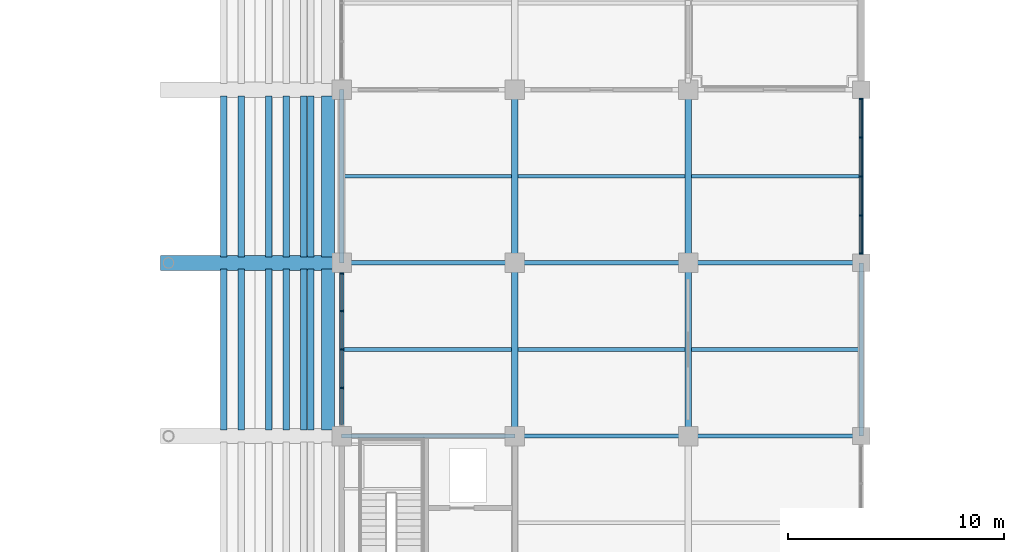
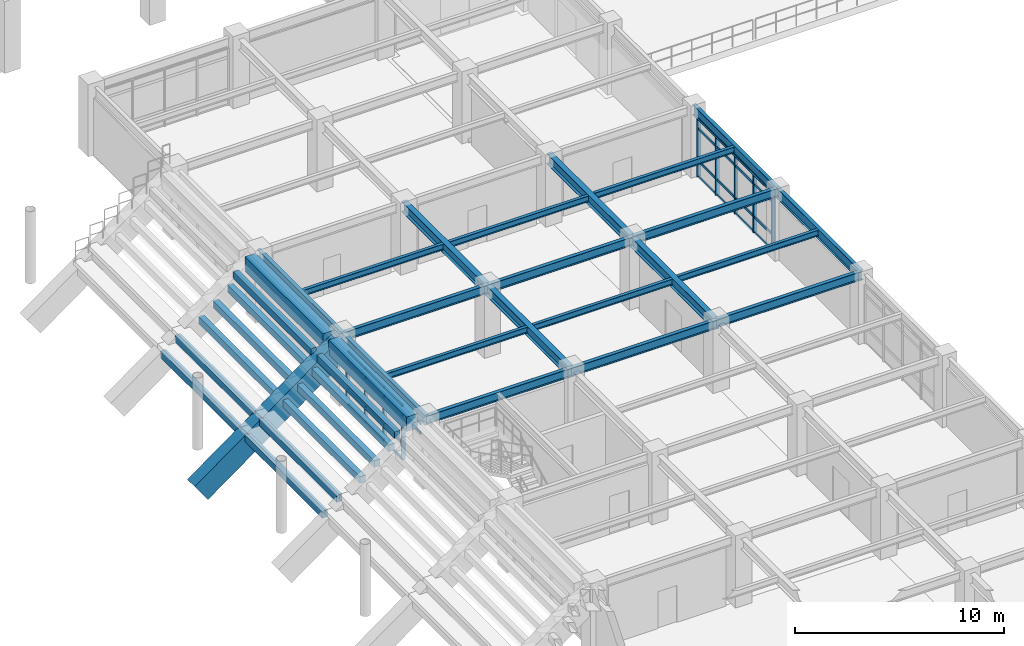
# One storey, part 44 of 118: 39 members, 35 beams, 2 elements without a shape of their own.
"""IFC4 building model written with IfcOpenShell, lengths in metres."""

import ifcopenshell
import ifcopenshell.guid

model = None  # the IFC model being written
_history = None  # IfcOwnerHistory: only IFC2X3 demands one
_inside = {}  # id of a spatial element -> (the spatial element, [elements in it])
_under = {}  # id of a project, library or spatial element -> (it, [spatial elements below it])
_declared = {}  # id of a project -> (the project, [libraries it declares])
_typed = {}  # id of a type object -> (the type object, [elements of that type])
_made_of = {}  # id of a material, layer set ... -> (it, [elements and type objects made of it])


def new_model(schema):
    """Start an empty IFC model of exactly this schema.

    Asked for "IFC4X3", IfcOpenShell would pick the latest addendum, in which some entities
    have other attributes; the version numbers below select the first issue.
    IFC2X3 requires an IfcOwnerHistory on every rooted entity: one is made here for all.
    """
    global model, _history
    if schema == "IFC4X3":
        model = ifcopenshell.file(schema_version=(4, 3, 0, 0))
    else:
        model = ifcopenshell.file(schema=schema)
    _inside.clear()
    _under.clear()
    _declared.clear()
    _typed.clear()
    _made_of.clear()
    _history = None
    if model.schema == "IFC2X3":
        org = make("IfcOrganization", Name="unknown")
        user = make(
            "IfcPersonAndOrganization",
            ThePerson=make("IfcPerson", FamilyName="unknown"),
            TheOrganization=org,
        )
        app = make(
            "IfcApplication",
            ApplicationDeveloper=org,
            Version="unknown",
            ApplicationFullName="unknown",
            ApplicationIdentifier="unknown",
        )
        _history = make(
            "IfcOwnerHistory",
            OwningUser=user,
            OwningApplication=app,
            ChangeAction="ADDED",
            CreationDate=0,
        )
    return model


def make(cls, **values):
    """One entity of the class cls with the attributes given. An attribute that is None is left unset."""
    return model.create_entity(
        cls, **{name: value for name, value in values.items() if value is not None}
    )


def rooted(cls, **values):
    """An entity with a GlobalId (a new one), such as an element, a storey or a relation."""
    return make(cls, GlobalId=ifcopenshell.guid.new(), OwnerHistory=_history, **values)


def si_unit(unit_type, name, prefix=None):
    """IfcSIUnit, for example si_unit("LENGTHUNIT", "METRE", prefix="MILLI")."""
    return make("IfcSIUnit", UnitType=unit_type, Prefix=prefix, Name=name)


def assignment(units):
    """IfcUnitAssignment: the units of a project."""
    return None if units is None else make("IfcUnitAssignment", Units=units)


def point(xyz):
    """IfcCartesianPoint."""
    return None if xyz is None else make("IfcCartesianPoint", Coordinates=xyz)


def direction(xyz):
    """IfcDirection."""
    return None if xyz is None else make("IfcDirection", DirectionRatios=xyz)


def frame(location, z_axis=None, x_axis=None):
    """IfcAxis2Placement3D, a coordinate frame: its origin and axes. An axis left out is left unset."""
    return make(
        "IfcAxis2Placement3D",
        Location=point(location),
        Axis=direction(z_axis),
        RefDirection=direction(x_axis),
    )


def frame_2d(location, x_axis=None):
    """IfcAxis2Placement2D, a coordinate frame in the plane: its origin and x axis."""
    return make(
        "IfcAxis2Placement2D", Location=point(location), RefDirection=direction(x_axis)
    )


def origin():
    """The frame at (0, 0, 0) with its axes left unset."""
    return frame((0.0, 0.0, 0.0))


def origin_2d():
    """The frame at (0, 0) in the plane with its x axis left unset."""
    return frame_2d((0.0, 0.0))


def place(relative_to, where):
    """IfcLocalPlacement: puts the frame where relative to a parent placement (None: the world)."""
    return make(
        "IfcLocalPlacement", PlacementRelTo=relative_to, RelativePlacement=where
    )


def context(
    kind, dimensions, precision=None, world=None, true_north=None, identifier=None
):
    """IfcGeometricRepresentationContext, for example the 3D "Model" context."""
    return make(
        "IfcGeometricRepresentationContext",
        ContextIdentifier=identifier,
        ContextType=kind,
        CoordinateSpaceDimension=dimensions,
        Precision=precision,
        WorldCoordinateSystem=world,
        TrueNorth=true_north,
    )


def subcontext(parent, identifier, kind, view, scale=None):
    """IfcGeometricRepresentationSubContext, for example "Body" below "Model"."""
    return make(
        "IfcGeometricRepresentationSubContext",
        ContextIdentifier=identifier,
        ContextType=kind,
        ParentContext=parent,
        TargetScale=scale,
        TargetView=view,
    )


def project(units=None, contexts=None):
    """IfcProject with its units and contexts."""
    return rooted(
        "IfcProject",
        Name="project",
        RepresentationContexts=contexts,
        UnitsInContext=assignment(units),
    )


def spatial(cls, under=None, at=None, **own):
    """A site, building, storey or space (cls), placed at a placement, below another one or the project."""
    s = rooted(cls, ObjectPlacement=at, **own)
    if under is not None:
        _under.setdefault(under.id(), (under, []))[1].append(s)
    return s


def profile(cls, at=None, kind="AREA", **sizes):
    """A parametric profile (cls). Its sizes go by their IFC names, for example OverallWidth=200.0."""
    return make(cls, ProfileType=kind, Position=at, **sizes)


def rectangle(**sizes):
    """IfcRectangleProfileDef."""
    return profile("IfcRectangleProfileDef", **sizes)


def i_section(**sizes):
    """IfcIShapeProfileDef."""
    return profile("IfcIShapeProfileDef", **sizes)


def extrude(swept, where, along, depth):
    """IfcExtrudedAreaSolid: the profile swept, set in the frame where, extruded along a direction by depth."""
    return make(
        "IfcExtrudedAreaSolid",
        SweptArea=swept,
        Position=where,
        ExtrudedDirection=direction(along),
        Depth=depth,
    )


def shape(context_of_items, identifier, shape_type, items):
    """IfcShapeRepresentation: the items that make up one representation, for example the "Body"."""
    return make(
        "IfcShapeRepresentation",
        ContextOfItems=context_of_items,
        RepresentationIdentifier=identifier,
        RepresentationType=shape_type,
        Items=items,
    )


def material(Name=None, Category=None):
    """IfcMaterial."""
    return make("IfcMaterial", Name=Name, Category=Category)


def layer(
    of_material, thickness, ventilated=None, Name=None, Category=None, Priority=None
):
    """IfcMaterialLayer: one layer of a wall or slab, of a material (None: an air gap)."""
    return make(
        "IfcMaterialLayer",
        Material=of_material,
        LayerThickness=thickness,
        IsVentilated=ventilated,
        Name=Name,
        Category=Category,
        Priority=Priority,
    )


def layer_set(layers, Name=None):
    """IfcMaterialLayerSet."""
    return make("IfcMaterialLayerSet", MaterialLayers=layers, LayerSetName=Name)


def material_profile(
    of_material, cross_section, Name=None, Category=None, Priority=None
):
    """IfcMaterialProfile: a cross section and its material."""
    return make(
        "IfcMaterialProfile",
        Name=Name,
        Material=of_material,
        Profile=cross_section,
        Priority=Priority,
        Category=Category,
    )


def profile_set(profiles, Name=None, composite=None):
    """IfcMaterialProfileSet."""
    return make(
        "IfcMaterialProfileSet",
        Name=Name,
        MaterialProfiles=profiles,
        CompositeProfile=composite,
    )


def made_of(thing, what):
    """Note that an element or type object is made of a material, layer set ...; save() writes the relation."""
    if what is not None:
        _made_of.setdefault(what.id(), (what, []))[1].append(thing)
    return thing


def type_object(cls, material=None, **own):
    """A type object (cls), such as IfcWallType, which elements share."""
    return made_of(rooted(cls, **own), material)


def element(
    cls,
    number,
    at=None,
    inside=None,
    cuts=None,
    type_object=None,
    material=None,
    context=None,
    identifier="Body",
    shape_type=None,
    held_by="IfcProductDefinitionShape",
    body=None,
    shapes=None,
    **own,
):
    """One element of the class cls, such as IfcWall. Its Tag is "e" and its number.

    at: its placement. inside: the storey or other place that contains it. cuts: it is an
    opening in that element (IfcRelVoidsElement). A single representation is given by context,
    identifier, shape_type and body (its items); several are given by shapes. held_by: the class
    of the entity that holds the representations. save() writes the other relations.
    """
    e = rooted(cls, Tag="e%d" % number, ObjectPlacement=at, **own)
    if body is not None:
        shapes = [shape(context, identifier, shape_type, body)]
    if shapes is not None:
        e.Representation = make(held_by, Representations=shapes)
    if inside is not None:
        _inside.setdefault(inside.id(), (inside, []))[1].append(e)
    if cuts is not None:
        rooted(
            "IfcRelVoidsElement", RelatingBuildingElement=cuts, RelatedOpeningElement=e
        )
    if type_object is not None:
        _typed.setdefault(type_object.id(), (type_object, []))[1].append(e)
    return made_of(e, material)


def aggregate(whole, parts):
    """IfcRelAggregates: a whole, such as a stair, and the parts it consists of."""
    return rooted("IfcRelAggregates", RelatingObject=whole, RelatedObjects=parts)


def save(model, path):
    """Write the relations noted so far, then the file.

    IfcRelAggregates (storeys below a building ...), IfcRelContainedInSpatialStructure (elements
    in a storey), IfcRelDefinesByType, IfcRelAssociatesMaterial and IfcRelDeclares: one each for
    every whole, place, type object, material and project.
    """
    for whole, parts in _under.values():
        aggregate(whole, parts)
    for where, things in _inside.values():
        rooted(
            "IfcRelContainedInSpatialStructure",
            RelatedElements=things,
            RelatingStructure=where,
        )
    for kind, things in _typed.values():
        rooted("IfcRelDefinesByType", RelatedObjects=things, RelatingType=kind)
    for what, things in _made_of.values():
        rooted("IfcRelAssociatesMaterial", RelatedObjects=things, RelatingMaterial=what)
    for by, libraries in _declared.values():
        rooted("IfcRelDeclares", RelatingContext=by, RelatedDefinitions=libraries)
    model.write(path)


model = new_model("IFC4")

# Units and contexts
model_context = context("Model", 3, precision=1e-05, world=origin(), true_north=direction((0.0, 1.0)))
body_context = subcontext(model_context, "Body", "Model", "MODEL_VIEW")
ifc_project = project(units=[si_unit("LENGTHUNIT", "METRE"), si_unit("AREAUNIT", "SQUARE_METRE"), si_unit("VOLUMEUNIT", "CUBIC_METRE"), si_unit("PLANEANGLEUNIT", "RADIAN"), si_unit("MASSUNIT", "GRAM", prefix="KILO")], contexts=[model_context])

# Site, building, storey
site_placement = place(None, origin())
site = spatial("IfcSite", under=ifc_project, at=site_placement, CompositionType="ELEMENT")
building_placement = place(site_placement, origin())
building = spatial("IfcBuilding", under=site, at=building_placement, Name="Haebicheon Civic Stadium", CompositionType="ELEMENT")
storey_placement = place(building_placement, frame((0.0, 0.0, 14.39990234375)))
storey = spatial("IfcBuildingStorey", under=building, at=storey_placement, Name="L04", CompositionType="ELEMENT", Elevation=14.39990234375)

# Beams
ifc_material_1 = material(Name="Precast concrete C40/50", Category="concrete")
ifc_material_profile_1 = material_profile(ifc_material_1, rectangle(XDim=0.300048828125, YDim=0.39990234375, at=origin_2d()), Name="PC-LN-300x400")
ifc_profile_set_1 = profile_set([ifc_material_profile_1], Name="Precast concrete C40/50")
beam_type_1 = type_object("IfcBeamType", Name="BM-LN-300x400", PredefinedType="LINTEL", material=ifc_profile_set_1)
for number, where, z_axis, x_axis, name in (
    (1, (138.56005859375, 112.280029296875, -0.10693359375), (0.0, 1.0, 0.0), (-1.0, 0.0, 0.0), "TIER-E-U precast step carrier beam 9.4"),
    (2, (139.360107421875, 112.280029296875, 0.5380859375), (0.0, 1.0, 0.0), (-1.0, 0.0, 0.0), "TIER-E-U precast step carrier beam 9.5"),
    (3, (140.639892578125, 112.280029296875, 1.18212890625), (0.0, 1.0, 0.0), (-1.0, 0.0, 0.0), "TIER-E-U precast step carrier beam 9.6"),
    (4, (141.43994140625, 112.280029296875, 1.8271484375), (0.0, 1.0, 0.0), (-1.0, 0.0, 0.0), "TIER-E-U precast step carrier beam 9.7"),
    (5, (142.239990234375, 112.280029296875, 2.47119140625), (0.0, 1.0, 0.0), (-1.0, 0.0, 0.0), "TIER-E-U precast step carrier beam 9.8"),
    (6, (142.56005859375, 112.280029296875, 3.1162109375), (0.0, 1.0, 0.0), (-1.0, 0.0, 0.0), "TIER-E-U precast step carrier beam 9.9"),
    (7, (138.56005859375, 120.280029296875, -0.10693359375), (0.0, 1.0, 0.0), (-1.0, 0.0, 0.0), "TIER-E-U precast step carrier beam 10.4"),
    (8, (139.360107421875, 120.280029296875, 0.5380859375), (0.0, 1.0, 0.0), (-1.0, 0.0, 0.0), "TIER-E-U precast step carrier beam 10.5"),
    (9, (140.639892578125, 120.280029296875, 1.18212890625), (0.0, 1.0, 0.0), (-1.0, 0.0, 0.0), "TIER-E-U precast step carrier beam 10.6"),
    (10, (141.43994140625, 120.280029296875, 1.8271484375), (0.0, 1.0, 0.0), (-1.0, 0.0, 0.0), "TIER-E-U precast step carrier beam 10.7"),
    (11, (142.239990234375, 120.280029296875, 2.47119140625), (0.0, 1.0, 0.0), (-1.0, 0.0, 0.0), "TIER-E-U precast step carrier beam 10.8"),
    (12, (142.56005859375, 120.280029296875, 3.1162109375), (0.0, 1.0, 0.0), (-1.0, 0.0, 0.0), "TIER-E-U precast step carrier beam 10.9"),
):
    element("IfcBeam", number, at=place(storey_placement, frame(where, z_axis=z_axis, x_axis=x_axis)), inside=storey, type_object=beam_type_1, material=ifc_profile_set_1, Name=name, PredefinedType="LINTEL", context=body_context, shape_type="SweptSolid", body=[
        extrude(rectangle(XDim=0.300048828125, YDim=0.39990234375, at=origin_2d()), origin(), (0.0, 0.0, 1.0), 7.43994140625),
    ])
ifc_material_2 = material(Name="Steel SM355 (S355)", Category="steel")
ifc_material_profile_2 = material_profile(ifc_material_2, i_section(OverallWidth=0.199951171875, OverallDepth=0.5, WebThickness=0.010009765625, FlangeThickness=0.01611328125, at=origin_2d()), Name="H-500x200x10x16")
ifc_profile_set_2 = profile_set([ifc_material_profile_2], Name="Steel SM355 (S355)")
beam_type_2 = type_object("IfcBeamType", Name="BM-ST-H500", PredefinedType="BEAM", material=ifc_profile_set_2)
for number, where, z_axis, x_axis, name in (
    (13, (144.0, 112.0, 3.690185546875), (1.0, 0.0, 0.0), (0.0, 1.0, 0.0), "L04 beam Q/19-20"),
    (14, (144.0, 120.0, 3.690185546875), (1.0, 0.0, 0.0), (0.0, 1.0, 0.0), "L04 beam R/19-20"),
    (15, (152.0, 112.0, 3.690185546875), (1.0, 0.0, 0.0), (0.0, 1.0, 0.0), "L04 beam Q/20-21"),
    (16, (152.0, 120.0, 3.690185546875), (1.0, 0.0, 0.0), (0.0, 1.0, 0.0), "L04 beam R/20-21"),
    (17, (160.0, 112.0, 3.72998046875), (1.0, 0.0, 0.0), (0.0, 1.0, 0.0), "L04 beam Q/21-22"),
    (18, (160.0, 120.0, 3.72998046875), (1.0, 0.0, 0.0), (0.0, 1.0, 0.0), "L04 beam R/21-22"),
):
    element("IfcBeam", number, at=place(storey_placement, frame(where, z_axis=z_axis, x_axis=x_axis)), inside=storey, type_object=beam_type_2, material=ifc_profile_set_2, Name=name, PredefinedType="BEAM", context=body_context, shape_type="SweptSolid", body=[
        extrude(i_section(OverallWidth=0.199951171875, OverallDepth=0.5, WebThickness=0.010009765625, FlangeThickness=0.01611328125, at=origin_2d()), origin(), (0.0, 0.0, 1.0), 8.0),
    ])
ifc_material_3 = material(Name="Steel SM355 (S355)", Category="steel")
ifc_material_profile_3 = material_profile(ifc_material_3, i_section(OverallWidth=0.300048828125, OverallDepth=0.60009765625, WebThickness=0.011962890625, FlangeThickness=0.02001953125, at=origin_2d()), Name="H-600x300x12x20")
ifc_profile_set_3 = profile_set([ifc_material_profile_3], Name="Steel SM355 (S355)")
beam_type_3 = type_object("IfcBeamType", Name="BM-ST-H600A", PredefinedType="BEAM", material=ifc_profile_set_3)
for number, where, z_axis, x_axis, name in (
    (19, (152.0, 112.0, 3.64013671875), (0.0, 1.0, 0.0), (-1.0, 0.0, 0.0), "L04 girder 20/Q-R"),
    (20, (152.0, 120.0, 3.64013671875), (0.0, 1.0, 0.0), (-1.0, 0.0, 0.0), "L04 girder 20/R-S"),
    (21, (160.0, 112.0, 3.64013671875), (0.0, 1.0, 0.0), (-1.0, 0.0, 0.0), "L04 girder 21/Q-R"),
    (22, (160.0, 120.0, 3.64013671875), (0.0, 1.0, 0.0), (-1.0, 0.0, 0.0), "L04 girder 21/R-S"),
):
    element("IfcBeam", number, at=place(storey_placement, frame(where, z_axis=z_axis, x_axis=x_axis)), inside=storey, type_object=beam_type_3, material=ifc_profile_set_3, Name=name, PredefinedType="BEAM", context=body_context, shape_type="SweptSolid", body=[
        extrude(i_section(OverallWidth=0.300048828125, OverallDepth=0.60009765625, WebThickness=0.011962890625, FlangeThickness=0.02001953125, at=origin_2d()), origin(), (0.0, 0.0, 1.0), 8.0),
    ])
ifc_material_4 = material(Name="Precast concrete C40/50", Category="concrete")
ifc_material_profile_4 = material_profile(ifc_material_4, rectangle(XDim=0.60009765625, YDim=0.85009765625, at=origin_2d()), Name="PC-TB-600x850")
ifc_profile_set_4 = profile_set([ifc_material_profile_4], Name="Precast concrete C40/50")
beam_type_4 = type_object("IfcBeamType", Name="BM-TB-600x850", PredefinedType="T_BEAM", material=ifc_profile_set_4)
for number, where, z_axis, x_axis, name in (
    (23, (143.360107421875, 112.280029296875, 3.53515625), (0.0, 1.0, 0.0), (-1.0, 0.0, 0.0), "TIER-E-U upper tier bench carrier beam 9"),
    (24, (143.360107421875, 120.280029296875, 3.53515625), (0.0, 1.0, 0.0), (-1.0, 0.0, 0.0), "TIER-E-U upper tier bench carrier beam 10"),
):
    element("IfcBeam", number, at=place(storey_placement, frame(where, z_axis=z_axis, x_axis=x_axis)), inside=storey, type_object=beam_type_4, material=ifc_profile_set_4, Name=name, PredefinedType="T_BEAM", context=body_context, shape_type="SweptSolid", body=[
        extrude(rectangle(XDim=0.60009765625, YDim=0.85009765625, at=origin_2d()), origin(), (0.0, 0.0, 1.0), 7.43994140625),
    ])

# Curtain wall, members
ifc_material_5 = material(Name="Anodised aluminium and laminated glass", Category="aluminium")
ifc_layer_1 = layer(ifc_material_5, 0.179931640625, Name="Anodised aluminium and laminated glass")
ifc_layer_set_1 = layer_set([ifc_layer_1], Name="Anodised aluminium and laminated glass")
curtain_wall_type_1 = type_object("IfcCurtainWallType", Name="CW-7100x3100", PredefinedType="NOTDEFINED", material=ifc_layer_set_1)
curtain_wall_1_placement = place(storey_placement, origin())
curtain_wall_1 = element("IfcCurtainWall", 25, at=curtain_wall_1_placement, inside=storey, type_object=curtain_wall_type_1, material=ifc_layer_set_1, Name="L04 unitised curtain wall 146", PredefinedType="NOTDEFINED")
ifc_material_6 = material(Name="Anodised aluminium 6063-T6", Category="aluminium")
ifc_material_profile_5 = material_profile(ifc_material_6, rectangle(XDim=0.070068359375, YDim=0.199951171875, at=origin_2d()), Name="ALU-MULL-70x200")
ifc_profile_set_5 = profile_set([ifc_material_profile_5], Name="Anodised aluminium 6063-T6")
member_type_1 = type_object("IfcMemberType", Name="CWM-200x70", PredefinedType="MULLION", material=ifc_profile_set_5)
member_1_placement = place(storey_placement, frame((144.0, 114.22509765625, 0.0), z_axis=(0.0, 0.0, 1.0), x_axis=(0.0, 1.0, 0.0)))
member_1 = element("IfcMember", 26, at=member_1_placement, type_object=member_type_1, material=ifc_profile_set_5, Name="CW-L04-146 vertical mullion 2", PredefinedType="MULLION", context=body_context, shape_type="SweptSolid", body=[
    extrude(rectangle(XDim=0.070068359375, YDim=0.199951171875, at=origin_2d()), origin(), (0.0, 0.0, 1.0), 3.10009765625),
])
member_2_placement = place(storey_placement, frame((144.0, 116.0, 0.0), z_axis=(0.0, 0.0, 1.0), x_axis=(0.0, 1.0, 0.0)))
member_2 = element("IfcMember", 27, at=member_2_placement, type_object=member_type_1, material=ifc_profile_set_5, Name="CW-L04-146 vertical mullion 3", PredefinedType="MULLION", context=body_context, shape_type="SweptSolid", body=[
    extrude(rectangle(XDim=0.070068359375, YDim=0.199951171875, at=origin_2d()), origin(), (0.0, 0.0, 1.0), 3.10009765625),
])
member_3_placement = place(storey_placement, frame((144.0, 117.77490234375, 0.0), z_axis=(0.0, 0.0, 1.0), x_axis=(0.0, 1.0, 0.0)))
member_3 = element("IfcMember", 28, at=member_3_placement, type_object=member_type_1, material=ifc_profile_set_5, Name="CW-L04-146 vertical mullion 4", PredefinedType="MULLION", context=body_context, shape_type="SweptSolid", body=[
    extrude(rectangle(XDim=0.070068359375, YDim=0.199951171875, at=origin_2d()), origin(), (0.0, 0.0, 1.0), 3.10009765625),
])
member_4_placement = place(storey_placement, frame((144.0, 119.514892578125, 0.0), z_axis=(0.0, 0.0, 1.0), x_axis=(0.0, 1.0, 0.0)))
member_4 = element("IfcMember", 29, at=member_4_placement, type_object=member_type_1, material=ifc_profile_set_5, Name="CW-L04-146 vertical mullion 5", PredefinedType="MULLION", context=body_context, shape_type="SweptSolid", body=[
    extrude(rectangle(XDim=0.070068359375, YDim=0.199951171875, at=origin_2d()), origin(), (0.0, 0.0, 1.0), 3.10009765625),
])

ifc_material_7 = material(Name="Anodised aluminium and laminated glass", Category="aluminium")
ifc_layer_2 = layer(ifc_material_7, 0.179931640625, Name="Anodised aluminium and laminated glass")
ifc_layer_set_2 = layer_set([ifc_layer_2], Name="Anodised aluminium and laminated glass")
curtain_wall_type_2 = type_object("IfcCurtainWallType", Name="CW-7200x3350", PredefinedType="NOTDEFINED", material=ifc_layer_set_2)
curtain_wall_2_placement = place(storey_placement, origin())
curtain_wall_2 = element("IfcCurtainWall", 30, at=curtain_wall_2_placement, inside=storey, type_object=curtain_wall_type_2, material=ifc_layer_set_2, Name="L04 unitised curtain wall 158", PredefinedType="NOTDEFINED")
member_5_placement = place(storey_placement, frame((168.0, 120.43505859375, 0.0), z_axis=(0.0, 0.0, 1.0), x_axis=(0.0, 1.0, 0.0)))
member_5 = element("IfcMember", 31, at=member_5_placement, type_object=member_type_1, material=ifc_profile_set_5, Name="CW-L04-158 vertical mullion 1", PredefinedType="MULLION", context=body_context, shape_type="SweptSolid", body=[
    extrude(rectangle(XDim=0.070068359375, YDim=0.199951171875, at=origin_2d()), origin(), (0.0, 0.0, 1.0), 3.35009765625),
])
member_6_placement = place(storey_placement, frame((168.0, 122.199951171875, 0.0), z_axis=(0.0, 0.0, 1.0), x_axis=(0.0, 1.0, 0.0)))
member_6 = element("IfcMember", 32, at=member_6_placement, type_object=member_type_1, material=ifc_profile_set_5, Name="CW-L04-158 vertical mullion 2", PredefinedType="MULLION", context=body_context, shape_type="SweptSolid", body=[
    extrude(rectangle(XDim=0.070068359375, YDim=0.199951171875, at=origin_2d()), origin(), (0.0, 0.0, 1.0), 3.35009765625),
])
member_7_placement = place(storey_placement, frame((168.0, 124.0, 0.0), z_axis=(0.0, 0.0, 1.0), x_axis=(0.0, 1.0, 0.0)))
member_7 = element("IfcMember", 33, at=member_7_placement, type_object=member_type_1, material=ifc_profile_set_5, Name="CW-L04-158 vertical mullion 3", PredefinedType="MULLION", context=body_context, shape_type="SweptSolid", body=[
    extrude(rectangle(XDim=0.070068359375, YDim=0.199951171875, at=origin_2d()), origin(), (0.0, 0.0, 1.0), 3.35009765625),
])
member_8_placement = place(storey_placement, frame((168.0, 125.800048828125, 0.0), z_axis=(0.0, 0.0, 1.0), x_axis=(0.0, 1.0, 0.0)))
member_8 = element("IfcMember", 34, at=member_8_placement, type_object=member_type_1, material=ifc_profile_set_5, Name="CW-L04-158 vertical mullion 4", PredefinedType="MULLION", context=body_context, shape_type="SweptSolid", body=[
    extrude(rectangle(XDim=0.070068359375, YDim=0.199951171875, at=origin_2d()), origin(), (0.0, 0.0, 1.0), 3.35009765625),
])
member_9_placement = place(storey_placement, frame((168.0, 127.56494140625, 0.0), z_axis=(0.0, 0.0, 1.0), x_axis=(0.0, 1.0, 0.0)))
member_9 = element("IfcMember", 35, at=member_9_placement, type_object=member_type_1, material=ifc_profile_set_5, Name="CW-L04-158 vertical mullion 5", PredefinedType="MULLION", context=body_context, shape_type="SweptSolid", body=[
    extrude(rectangle(XDim=0.070068359375, YDim=0.199951171875, at=origin_2d()), origin(), (0.0, 0.0, 1.0), 3.35009765625),
])

# Member
ifc_material_8 = material(Name="Anodised aluminium 6063-T6", Category="aluminium")
ifc_material_profile_6 = material_profile(ifc_material_8, rectangle(XDim=0.070068359375, YDim=0.14990234375, at=origin_2d()), Name="ALU-TRAN-70x150")
ifc_profile_set_6 = profile_set([ifc_material_profile_6], Name="Anodised aluminium 6063-T6")
member_type_2 = type_object("IfcMemberType", Name="CWT-150x70", PredefinedType="NOTDEFINED", material=ifc_profile_set_6)
member_10_placement = place(storey_placement, frame((144.0, 112.52001953125, 2.550048828125), z_axis=(0.0, 1.0, 0.0), x_axis=(-1.0, 0.0, 0.0)))
member_10 = element("IfcMember", 36, at=member_10_placement, type_object=member_type_2, material=ifc_profile_set_6, Name="CW-L04-146 horizontal transom 1.3", ObjectType="TRANSOM", PredefinedType="USERDEFINED", context=body_context, shape_type="SweptSolid", body=[
    extrude(rectangle(XDim=0.070068359375, YDim=0.14990234375, at=origin_2d()), origin(), (0.0, 0.0, 1.0), 1.669921875),
])

member_11_placement = place(storey_placement, frame((144.0, 112.52001953125, 3.10009765625), z_axis=(0.0, 1.0, 0.0), x_axis=(-1.0, 0.0, 0.0)))
member_11 = element("IfcMember", 37, at=member_11_placement, type_object=member_type_2, material=ifc_profile_set_6, Name="CW-L04-146 horizontal transom 1.4", ObjectType="TRANSOM", PredefinedType="USERDEFINED", context=body_context, shape_type="SweptSolid", body=[
    extrude(rectangle(XDim=0.070068359375, YDim=0.14990234375, at=origin_2d()), origin(), (0.0, 0.0, 1.0), 1.669921875),
])

member_12_placement = place(storey_placement, frame((144.0, 114.260009765625, 0.0), z_axis=(0.0, 1.0, 0.0), x_axis=(-1.0, 0.0, 0.0)))
member_12 = element("IfcMember", 38, at=member_12_placement, type_object=member_type_2, material=ifc_profile_set_6, Name="CW-L04-146 horizontal transom 2.1", ObjectType="TRANSOM", PredefinedType="USERDEFINED", context=body_context, shape_type="SweptSolid", body=[
    extrude(rectangle(XDim=0.070068359375, YDim=0.14990234375, at=origin_2d()), origin(), (0.0, 0.0, 1.0), 1.705078125),
])

member_13_placement = place(storey_placement, frame((144.0, 114.260009765625, 0.900146484375), z_axis=(0.0, 1.0, 0.0), x_axis=(-1.0, 0.0, 0.0)))
member_13 = element("IfcMember", 39, at=member_13_placement, type_object=member_type_2, material=ifc_profile_set_6, Name="CW-L04-146 horizontal transom 2.2", ObjectType="TRANSOM", PredefinedType="USERDEFINED", context=body_context, shape_type="SweptSolid", body=[
    extrude(rectangle(XDim=0.070068359375, YDim=0.14990234375, at=origin_2d()), origin(), (0.0, 0.0, 1.0), 1.705078125),
])

member_14_placement = place(storey_placement, frame((144.0, 114.260009765625, 2.550048828125), z_axis=(0.0, 1.0, 0.0), x_axis=(-1.0, 0.0, 0.0)))
member_14 = element("IfcMember", 40, at=member_14_placement, type_object=member_type_2, material=ifc_profile_set_6, Name="CW-L04-146 horizontal transom 2.3", ObjectType="TRANSOM", PredefinedType="USERDEFINED", context=body_context, shape_type="SweptSolid", body=[
    extrude(rectangle(XDim=0.070068359375, YDim=0.14990234375, at=origin_2d()), origin(), (0.0, 0.0, 1.0), 1.705078125),
])

member_15_placement = place(storey_placement, frame((144.0, 114.260009765625, 3.10009765625), z_axis=(0.0, 1.0, 0.0), x_axis=(-1.0, 0.0, 0.0)))
member_15 = element("IfcMember", 41, at=member_15_placement, type_object=member_type_2, material=ifc_profile_set_6, Name="CW-L04-146 horizontal transom 2.4", ObjectType="TRANSOM", PredefinedType="USERDEFINED", context=body_context, shape_type="SweptSolid", body=[
    extrude(rectangle(XDim=0.070068359375, YDim=0.14990234375, at=origin_2d()), origin(), (0.0, 0.0, 1.0), 1.705078125),
])

member_16_placement = place(storey_placement, frame((144.0, 116.034912109375, 0.0), z_axis=(0.0, 1.0, 0.0), x_axis=(-1.0, 0.0, 0.0)))
member_16 = element("IfcMember", 42, at=member_16_placement, type_object=member_type_2, material=ifc_profile_set_6, Name="CW-L04-146 horizontal transom 3.1", ObjectType="TRANSOM", PredefinedType="USERDEFINED", context=body_context, shape_type="SweptSolid", body=[
    extrude(rectangle(XDim=0.070068359375, YDim=0.14990234375, at=origin_2d()), origin(), (0.0, 0.0, 1.0), 1.705078125),
])

member_17_placement = place(storey_placement, frame((144.0, 116.034912109375, 0.900146484375), z_axis=(0.0, 1.0, 0.0), x_axis=(-1.0, 0.0, 0.0)))
member_17 = element("IfcMember", 43, at=member_17_placement, type_object=member_type_2, material=ifc_profile_set_6, Name="CW-L04-146 horizontal transom 3.2", ObjectType="TRANSOM", PredefinedType="USERDEFINED", context=body_context, shape_type="SweptSolid", body=[
    extrude(rectangle(XDim=0.070068359375, YDim=0.14990234375, at=origin_2d()), origin(), (0.0, 0.0, 1.0), 1.705078125),
])

member_18_placement = place(storey_placement, frame((144.0, 116.034912109375, 2.550048828125), z_axis=(0.0, 1.0, 0.0), x_axis=(-1.0, 0.0, 0.0)))
member_18 = element("IfcMember", 44, at=member_18_placement, type_object=member_type_2, material=ifc_profile_set_6, Name="CW-L04-146 horizontal transom 3.3", ObjectType="TRANSOM", PredefinedType="USERDEFINED", context=body_context, shape_type="SweptSolid", body=[
    extrude(rectangle(XDim=0.070068359375, YDim=0.14990234375, at=origin_2d()), origin(), (0.0, 0.0, 1.0), 1.705078125),
])

member_19_placement = place(storey_placement, frame((144.0, 116.034912109375, 3.10009765625), z_axis=(0.0, 1.0, 0.0), x_axis=(-1.0, 0.0, 0.0)))
member_19 = element("IfcMember", 45, at=member_19_placement, type_object=member_type_2, material=ifc_profile_set_6, Name="CW-L04-146 horizontal transom 3.4", ObjectType="TRANSOM", PredefinedType="USERDEFINED", context=body_context, shape_type="SweptSolid", body=[
    extrude(rectangle(XDim=0.070068359375, YDim=0.14990234375, at=origin_2d()), origin(), (0.0, 0.0, 1.0), 1.705078125),
])

member_20_placement = place(storey_placement, frame((144.0, 117.81005859375, 0.0), z_axis=(0.0, 1.0, 0.0), x_axis=(-1.0, 0.0, 0.0)))
member_20 = element("IfcMember", 46, at=member_20_placement, type_object=member_type_2, material=ifc_profile_set_6, Name="CW-L04-146 horizontal transom 4.1", ObjectType="TRANSOM", PredefinedType="USERDEFINED", context=body_context, shape_type="SweptSolid", body=[
    extrude(rectangle(XDim=0.070068359375, YDim=0.14990234375, at=origin_2d()), origin(), (0.0, 0.0, 1.0), 1.669921875),
])

member_21_placement = place(storey_placement, frame((144.0, 117.81005859375, 0.900146484375), z_axis=(0.0, 1.0, 0.0), x_axis=(-1.0, 0.0, 0.0)))
member_21 = element("IfcMember", 47, at=member_21_placement, type_object=member_type_2, material=ifc_profile_set_6, Name="CW-L04-146 horizontal transom 4.2", ObjectType="TRANSOM", PredefinedType="USERDEFINED", context=body_context, shape_type="SweptSolid", body=[
    extrude(rectangle(XDim=0.070068359375, YDim=0.14990234375, at=origin_2d()), origin(), (0.0, 0.0, 1.0), 1.669921875),
])

member_22_placement = place(storey_placement, frame((144.0, 117.81005859375, 2.550048828125), z_axis=(0.0, 1.0, 0.0), x_axis=(-1.0, 0.0, 0.0)))
member_22 = element("IfcMember", 48, at=member_22_placement, type_object=member_type_2, material=ifc_profile_set_6, Name="CW-L04-146 horizontal transom 4.3", ObjectType="TRANSOM", PredefinedType="USERDEFINED", context=body_context, shape_type="SweptSolid", body=[
    extrude(rectangle(XDim=0.070068359375, YDim=0.14990234375, at=origin_2d()), origin(), (0.0, 0.0, 1.0), 1.669921875),
])

member_23_placement = place(storey_placement, frame((144.0, 117.81005859375, 3.10009765625), z_axis=(0.0, 1.0, 0.0), x_axis=(-1.0, 0.0, 0.0)))
member_23 = element("IfcMember", 49, at=member_23_placement, type_object=member_type_2, material=ifc_profile_set_6, Name="CW-L04-146 horizontal transom 4.4", ObjectType="TRANSOM", PredefinedType="USERDEFINED", context=body_context, shape_type="SweptSolid", body=[
    extrude(rectangle(XDim=0.070068359375, YDim=0.14990234375, at=origin_2d()), origin(), (0.0, 0.0, 1.0), 1.669921875),
])

aggregate(curtain_wall_1, [member_1, member_2, member_3, member_4, member_10, member_11, member_12, member_13, member_14, member_15, member_16, member_17, member_18, member_19, member_20, member_21, member_22, member_23])

member_24_placement = place(storey_placement, frame((168.0, 120.469970703125, 0.0), z_axis=(0.0, 1.0, 0.0), x_axis=(-1.0, 0.0, 0.0)))
member_24 = element("IfcMember", 50, at=member_24_placement, type_object=member_type_2, material=ifc_profile_set_6, Name="CW-L04-158 horizontal transom 1.1", ObjectType="TRANSOM", PredefinedType="USERDEFINED", context=body_context, shape_type="SweptSolid", body=[
    extrude(rectangle(XDim=0.070068359375, YDim=0.14990234375, at=origin_2d()), origin(), (0.0, 0.0, 1.0), 1.695068359375),
])

member_25_placement = place(storey_placement, frame((168.0, 120.469970703125, 0.900146484375), z_axis=(0.0, 1.0, 0.0), x_axis=(-1.0, 0.0, 0.0)))
member_25 = element("IfcMember", 51, at=member_25_placement, type_object=member_type_2, material=ifc_profile_set_6, Name="CW-L04-158 horizontal transom 1.2", ObjectType="TRANSOM", PredefinedType="USERDEFINED", context=body_context, shape_type="SweptSolid", body=[
    extrude(rectangle(XDim=0.070068359375, YDim=0.14990234375, at=origin_2d()), origin(), (0.0, 0.0, 1.0), 1.695068359375),
])

member_26_placement = place(storey_placement, frame((168.0, 120.469970703125, 2.800048828125), z_axis=(0.0, 1.0, 0.0), x_axis=(-1.0, 0.0, 0.0)))
member_26 = element("IfcMember", 52, at=member_26_placement, type_object=member_type_2, material=ifc_profile_set_6, Name="CW-L04-158 horizontal transom 1.3", ObjectType="TRANSOM", PredefinedType="USERDEFINED", context=body_context, shape_type="SweptSolid", body=[
    extrude(rectangle(XDim=0.070068359375, YDim=0.14990234375, at=origin_2d()), origin(), (0.0, 0.0, 1.0), 1.695068359375),
])

member_27_placement = place(storey_placement, frame((168.0, 120.469970703125, 3.35009765625), z_axis=(0.0, 1.0, 0.0), x_axis=(-1.0, 0.0, 0.0)))
member_27 = element("IfcMember", 53, at=member_27_placement, type_object=member_type_2, material=ifc_profile_set_6, Name="CW-L04-158 horizontal transom 1.4", ObjectType="TRANSOM", PredefinedType="USERDEFINED", context=body_context, shape_type="SweptSolid", body=[
    extrude(rectangle(XDim=0.070068359375, YDim=0.14990234375, at=origin_2d()), origin(), (0.0, 0.0, 1.0), 1.695068359375),
])

member_28_placement = place(storey_placement, frame((168.0, 122.235107421875, 0.0), z_axis=(0.0, 1.0, 0.0), x_axis=(-1.0, 0.0, 0.0)))
member_28 = element("IfcMember", 54, at=member_28_placement, type_object=member_type_2, material=ifc_profile_set_6, Name="CW-L04-158 horizontal transom 2.1", ObjectType="TRANSOM", PredefinedType="USERDEFINED", context=body_context, shape_type="SweptSolid", body=[
    extrude(rectangle(XDim=0.070068359375, YDim=0.14990234375, at=origin_2d()), origin(), (0.0, 0.0, 1.0), 1.72998046875),
])

member_29_placement = place(storey_placement, frame((168.0, 122.235107421875, 0.900146484375), z_axis=(0.0, 1.0, 0.0), x_axis=(-1.0, 0.0, 0.0)))
member_29 = element("IfcMember", 55, at=member_29_placement, type_object=member_type_2, material=ifc_profile_set_6, Name="CW-L04-158 horizontal transom 2.2", ObjectType="TRANSOM", PredefinedType="USERDEFINED", context=body_context, shape_type="SweptSolid", body=[
    extrude(rectangle(XDim=0.070068359375, YDim=0.14990234375, at=origin_2d()), origin(), (0.0, 0.0, 1.0), 1.72998046875),
])

member_30_placement = place(storey_placement, frame((168.0, 122.235107421875, 2.800048828125), z_axis=(0.0, 1.0, 0.0), x_axis=(-1.0, 0.0, 0.0)))
member_30 = element("IfcMember", 56, at=member_30_placement, type_object=member_type_2, material=ifc_profile_set_6, Name="CW-L04-158 horizontal transom 2.3", ObjectType="TRANSOM", PredefinedType="USERDEFINED", context=body_context, shape_type="SweptSolid", body=[
    extrude(rectangle(XDim=0.070068359375, YDim=0.14990234375, at=origin_2d()), origin(), (0.0, 0.0, 1.0), 1.72998046875),
])

member_31_placement = place(storey_placement, frame((168.0, 122.235107421875, 3.35009765625), z_axis=(0.0, 1.0, 0.0), x_axis=(-1.0, 0.0, 0.0)))
member_31 = element("IfcMember", 57, at=member_31_placement, type_object=member_type_2, material=ifc_profile_set_6, Name="CW-L04-158 horizontal transom 2.4", ObjectType="TRANSOM", PredefinedType="USERDEFINED", context=body_context, shape_type="SweptSolid", body=[
    extrude(rectangle(XDim=0.070068359375, YDim=0.14990234375, at=origin_2d()), origin(), (0.0, 0.0, 1.0), 1.72998046875),
])

member_32_placement = place(storey_placement, frame((168.0, 124.034912109375, 0.0), z_axis=(0.0, 1.0, 0.0), x_axis=(-1.0, 0.0, 0.0)))
member_32 = element("IfcMember", 58, at=member_32_placement, type_object=member_type_2, material=ifc_profile_set_6, Name="CW-L04-158 horizontal transom 3.1", ObjectType="TRANSOM", PredefinedType="USERDEFINED", context=body_context, shape_type="SweptSolid", body=[
    extrude(rectangle(XDim=0.070068359375, YDim=0.14990234375, at=origin_2d()), origin(), (0.0, 0.0, 1.0), 1.72998046875),
])

member_33_placement = place(storey_placement, frame((168.0, 124.034912109375, 0.900146484375), z_axis=(0.0, 1.0, 0.0), x_axis=(-1.0, 0.0, 0.0)))
member_33 = element("IfcMember", 59, at=member_33_placement, type_object=member_type_2, material=ifc_profile_set_6, Name="CW-L04-158 horizontal transom 3.2", ObjectType="TRANSOM", PredefinedType="USERDEFINED", context=body_context, shape_type="SweptSolid", body=[
    extrude(rectangle(XDim=0.070068359375, YDim=0.14990234375, at=origin_2d()), origin(), (0.0, 0.0, 1.0), 1.72998046875),
])

member_34_placement = place(storey_placement, frame((168.0, 124.034912109375, 2.800048828125), z_axis=(0.0, 1.0, 0.0), x_axis=(-1.0, 0.0, 0.0)))
member_34 = element("IfcMember", 60, at=member_34_placement, type_object=member_type_2, material=ifc_profile_set_6, Name="CW-L04-158 horizontal transom 3.3", ObjectType="TRANSOM", PredefinedType="USERDEFINED", context=body_context, shape_type="SweptSolid", body=[
    extrude(rectangle(XDim=0.070068359375, YDim=0.14990234375, at=origin_2d()), origin(), (0.0, 0.0, 1.0), 1.72998046875),
])

member_35_placement = place(storey_placement, frame((168.0, 124.034912109375, 3.35009765625), z_axis=(0.0, 1.0, 0.0), x_axis=(-1.0, 0.0, 0.0)))
member_35 = element("IfcMember", 61, at=member_35_placement, type_object=member_type_2, material=ifc_profile_set_6, Name="CW-L04-158 horizontal transom 3.4", ObjectType="TRANSOM", PredefinedType="USERDEFINED", context=body_context, shape_type="SweptSolid", body=[
    extrude(rectangle(XDim=0.070068359375, YDim=0.14990234375, at=origin_2d()), origin(), (0.0, 0.0, 1.0), 1.72998046875),
])

member_36_placement = place(storey_placement, frame((168.0, 125.8349609375, 0.0), z_axis=(0.0, 1.0, 0.0), x_axis=(-1.0, 0.0, 0.0)))
member_36 = element("IfcMember", 62, at=member_36_placement, type_object=member_type_2, material=ifc_profile_set_6, Name="CW-L04-158 horizontal transom 4.1", ObjectType="TRANSOM", PredefinedType="USERDEFINED", context=body_context, shape_type="SweptSolid", body=[
    extrude(rectangle(XDim=0.070068359375, YDim=0.14990234375, at=origin_2d()), origin(), (0.0, 0.0, 1.0), 1.695068359375),
])

member_37_placement = place(storey_placement, frame((168.0, 125.8349609375, 0.900146484375), z_axis=(0.0, 1.0, 0.0), x_axis=(-1.0, 0.0, 0.0)))
member_37 = element("IfcMember", 63, at=member_37_placement, type_object=member_type_2, material=ifc_profile_set_6, Name="CW-L04-158 horizontal transom 4.2", ObjectType="TRANSOM", PredefinedType="USERDEFINED", context=body_context, shape_type="SweptSolid", body=[
    extrude(rectangle(XDim=0.070068359375, YDim=0.14990234375, at=origin_2d()), origin(), (0.0, 0.0, 1.0), 1.695068359375),
])

member_38_placement = place(storey_placement, frame((168.0, 125.8349609375, 2.800048828125), z_axis=(0.0, 1.0, 0.0), x_axis=(-1.0, 0.0, 0.0)))
member_38 = element("IfcMember", 64, at=member_38_placement, type_object=member_type_2, material=ifc_profile_set_6, Name="CW-L04-158 horizontal transom 4.3", ObjectType="TRANSOM", PredefinedType="USERDEFINED", context=body_context, shape_type="SweptSolid", body=[
    extrude(rectangle(XDim=0.070068359375, YDim=0.14990234375, at=origin_2d()), origin(), (0.0, 0.0, 1.0), 1.695068359375),
])

member_39_placement = place(storey_placement, frame((168.0, 125.8349609375, 3.35009765625), z_axis=(0.0, 1.0, 0.0), x_axis=(-1.0, 0.0, 0.0)))
member_39 = element("IfcMember", 65, at=member_39_placement, type_object=member_type_2, material=ifc_profile_set_6, Name="CW-L04-158 horizontal transom 4.4", ObjectType="TRANSOM", PredefinedType="USERDEFINED", context=body_context, shape_type="SweptSolid", body=[
    extrude(rectangle(XDim=0.070068359375, YDim=0.14990234375, at=origin_2d()), origin(), (0.0, 0.0, 1.0), 1.695068359375),
])

aggregate(curtain_wall_2, [member_5, member_6, member_7, member_8, member_9, member_24, member_25, member_26, member_27, member_28, member_29, member_30, member_31, member_32, member_33, member_34, member_35, member_36, member_37, member_38, member_39])

# Beams
ifc_material_9 = material(Name="Steel SM355 (S355)", Category="steel")
ifc_material_profile_7 = material_profile(ifc_material_9, i_section(OverallWidth=0.175048828125, OverallDepth=0.35009765625, WebThickness=0.007080078125, FlangeThickness=0.010986328125, at=origin_2d()), Name="H-350x175x7x11")
ifc_profile_set_7 = profile_set([ifc_material_profile_7], Name="Steel SM355 (S355)")
beam_type_5 = type_object("IfcBeamType", Name="JST-ST-H350", PredefinedType="JOIST", material=ifc_profile_set_7)
for number, where, z_axis, x_axis, name in (
    (66, (144.10009765625, 116.0, 3.76513671875), (1.0, 0.0, 0.0), (0.0, 1.0, 0.0), "L04 secondary joist 18-14"),
    (67, (144.10009765625, 124.0, 3.76513671875), (1.0, 0.0, 0.0), (0.0, 1.0, 0.0), "L04 secondary joist 18-15"),
):
    element("IfcBeam", number, at=place(storey_placement, frame(where, z_axis=z_axis, x_axis=x_axis)), inside=storey, type_object=beam_type_5, material=ifc_profile_set_7, Name=name, PredefinedType="JOIST", context=body_context, shape_type="SweptSolid", body=[
        extrude(i_section(OverallWidth=0.175048828125, OverallDepth=0.35009765625, WebThickness=0.007080078125, FlangeThickness=0.010986328125, at=origin_2d()), origin(), (0.0, 0.0, 1.0), 7.75),
    ])
for number, where, z_axis, x_axis, name in (
    (68, (152.14990234375, 116.0, 3.76513671875), (1.0, 0.0, 0.0), (0.0, 1.0, 0.0), "L04 secondary joist 19-14"),
    (69, (152.14990234375, 124.0, 3.76513671875), (1.0, 0.0, 0.0), (0.0, 1.0, 0.0), "L04 secondary joist 19-15"),
):
    element("IfcBeam", number, at=place(storey_placement, frame(where, z_axis=z_axis, x_axis=x_axis)), inside=storey, type_object=beam_type_5, material=ifc_profile_set_7, Name=name, PredefinedType="JOIST", context=body_context, shape_type="SweptSolid", body=[
        extrude(i_section(OverallWidth=0.175048828125, OverallDepth=0.35009765625, WebThickness=0.007080078125, FlangeThickness=0.010986328125, at=origin_2d()), origin(), (0.0, 0.0, 1.0), 7.7001953125),
    ])
for number, where, z_axis, x_axis, name in (
    (70, (160.14990234375, 116.0, 3.80517578125), (1.0, 0.0, 0.0), (0.0, 1.0, 0.0), "L04 secondary joist 20-14"),
    (71, (160.14990234375, 124.0, 3.80517578125), (1.0, 0.0, 0.0), (0.0, 1.0, 0.0), "L04 secondary joist 20-15"),
):
    element("IfcBeam", number, at=place(storey_placement, frame(where, z_axis=z_axis, x_axis=x_axis)), inside=storey, type_object=beam_type_5, material=ifc_profile_set_7, Name=name, PredefinedType="JOIST", context=body_context, shape_type="SweptSolid", body=[
        extrude(i_section(OverallWidth=0.175048828125, OverallDepth=0.35009765625, WebThickness=0.007080078125, FlangeThickness=0.010986328125, at=origin_2d()), origin(), (0.0, 0.0, 1.0), 7.75),
    ])
ifc_material_10 = material(Name="Precast concrete C40/50", Category="concrete")
ifc_material_profile_8 = material_profile(ifc_material_10, rectangle(XDim=0.699951171875, YDim=1.25, at=origin_2d()), Name="PC-RK-700x1250")
ifc_profile_set_8 = profile_set([ifc_material_profile_8], Name="Precast concrete C40/50")
beam_type_6 = type_object("IfcBeamType", Name="RK-PC-700x1250", PredefinedType="USERDEFINED", material=ifc_profile_set_8)
beam_placement = place(storey_placement, frame((136.0, 120.0, -2.46484375), z_axis=(0.809608095134, 0.0, 0.586970810428), x_axis=(0.0, 1.0, 0.0)))
element("IfcBeam", 72, at=beam_placement, inside=storey, type_object=beam_type_6, material=ifc_profile_set_8, Name="TIER-E-U inclined precast raker beam 10", ObjectType="RAKER BEAM", PredefinedType="USERDEFINED", context=body_context, shape_type="SweptSolid", body=[
    extrude(rectangle(XDim=0.699951171875, YDim=1.25, at=origin_2d()), origin(), (0.0, 0.0, 1.0), 9.88134765625),
])
ifc_material_11 = material(Name="Steel SM355 (S355)", Category="steel")
ifc_material_profile_9 = material_profile(ifc_material_11, i_section(OverallWidth=0.199951171875, OverallDepth=0.60009765625, WebThickness=0.010986328125, FlangeThickness=0.01708984375, at=origin_2d()), Name="H-600x200x11x17")
ifc_profile_set_9 = profile_set([ifc_material_profile_9], Name="Steel SM355 (S355)")
beam_type_7 = type_object("IfcBeamType", Name="SPD-ST-H600B", PredefinedType="SPANDREL", material=ifc_profile_set_9)
for number, where, z_axis, x_axis, name in (
    (73, (144.0, 112.0, 3.64013671875), (0.0, 1.0, 0.0), (-1.0, 0.0, 0.0), "L04 girder 19/Q-R"),
    (74, (144.0, 120.0, 3.64013671875), (0.0, 1.0, 0.0), (-1.0, 0.0, 0.0), "L04 girder 19/R-S"),
    (75, (168.0, 112.0, 3.68017578125), (0.0, 1.0, 0.0), (-1.0, 0.0, 0.0), "L04 girder 22/Q-R"),
    (76, (168.0, 120.0, 3.68017578125), (0.0, 1.0, 0.0), (-1.0, 0.0, 0.0), "L04 girder 22/R-S"),
):
    element("IfcBeam", number, at=place(storey_placement, frame(where, z_axis=z_axis, x_axis=x_axis)), inside=storey, type_object=beam_type_7, material=ifc_profile_set_9, Name=name, PredefinedType="SPANDREL", context=body_context, shape_type="SweptSolid", body=[
        extrude(i_section(OverallWidth=0.199951171875, OverallDepth=0.60009765625, WebThickness=0.010986328125, FlangeThickness=0.01708984375, at=origin_2d()), origin(), (0.0, 0.0, 1.0), 8.0),
    ])

save(model, "model.ifc")
